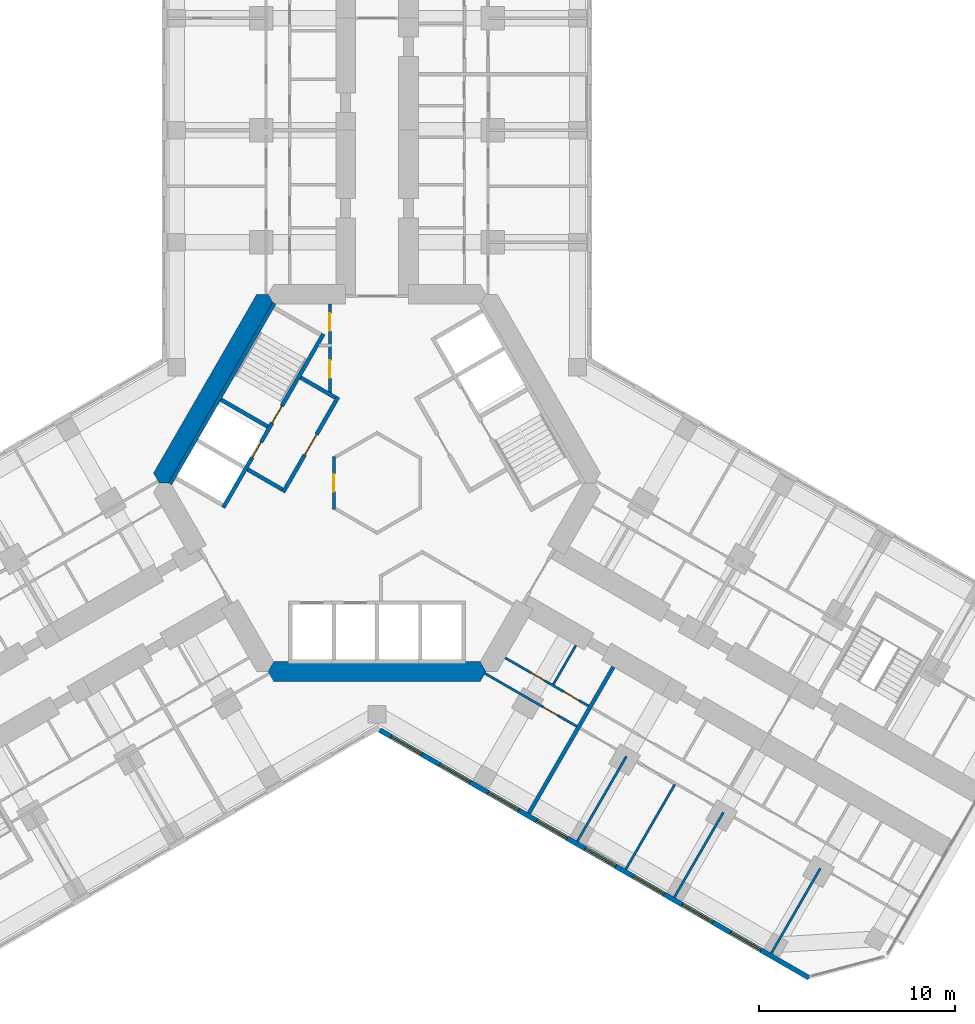
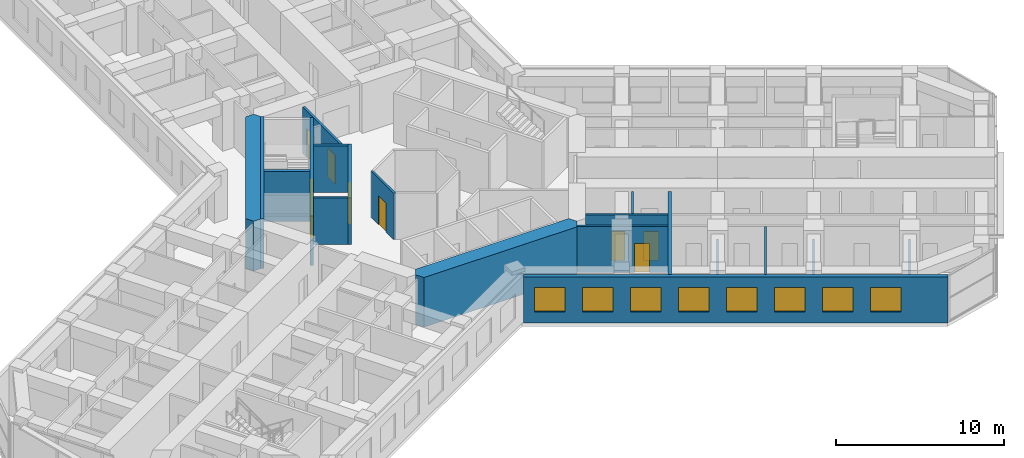
# One storey, part 13 of 21: 19 walls, 9 doors, 8 windows, 17 openings.
"""IFC4 building model written with IfcOpenShell, lengths in metres."""

from ifc_helpers import new_model, si_unit, direction, frame, frame_2d, origin, place, context, subcontext, project, spatial, polyline, rectangle, outline, extrude, material, layer, layer_set, type_object, element, fill, save


model = new_model("IFC4")

# Units and contexts
model_context = context("Model", 3, precision=1e-05, world=origin(), true_north=direction((0.0, 1.0)))
body_context = subcontext(model_context, "Body", "Model", "MODEL_VIEW")
ifc_project = project(units=[si_unit("LENGTHUNIT", "METRE"), si_unit("AREAUNIT", "SQUARE_METRE"), si_unit("VOLUMEUNIT", "CUBIC_METRE"), si_unit("PLANEANGLEUNIT", "RADIAN"), si_unit("MASSUNIT", "GRAM", prefix="KILO")], contexts=[model_context])

# Site, building, storey
site_placement = place(None, origin())
site = spatial("IfcSite", under=ifc_project, at=site_placement, CompositionType="ELEMENT")
building_placement = place(site_placement, origin())
building = spatial("IfcBuilding", under=site, at=building_placement, Name="Kosmar Iwan School Tower", CompositionType="ELEMENT")
storey_placement = place(building_placement, frame((0.0, 0.0, 88.0)))
storey = spatial("IfcBuildingStorey", under=building, at=storey_placement, Name="L21", CompositionType="ELEMENT", Elevation=88.0)

# Wall, openings, doors
ifc_material_1 = material(Name="Gypsum board on steel studs, fire-rated", Category="steel")
ifc_layer_1 = layer(ifc_material_1, 0.14990234375)
ifc_layer_set_1 = layer_set([ifc_layer_1], Name="Core room partition 150")
wall_type_1 = type_object("IfcWallType", Name="Core room partition 150", PredefinedType="PARTITIONING", material=ifc_layer_set_1)
wall_1_placement = place(storey_placement, frame((-2.39990234375, 9.094970703125, 0.0), z_axis=(0.0, 0.0, 1.0), x_axis=(0.0, -1.0, 0.0)))
wall_1 = element("IfcWall", 1, at=wall_1_placement, inside=storey, type_object=wall_type_1, Name="Core room partition L21-CW1", PredefinedType="PARTITIONING", context=body_context, shape_type="SweptSolid", body=[
    extrude(rectangle(XDim=4.564208984375, YDim=0.14990234375, at=frame_2d((2.2822265625, 0.0))), origin(), (0.0, 0.0, 1.0), 3.35009765625),
])
opening_1_placement = place(wall_1_placement, frame((0.455078125, 0.0, 0.0)))
opening_1 = element("IfcOpeningElement", 2, at=opening_1_placement, cuts=wall_1, Name="Opening D14", PredefinedType="OPENING", context=body_context, shape_type="SweptSolid", body=[
    extrude(rectangle(XDim=0.89990234375, YDim=2.10009765625, at=frame_2d((0.449951171875, 1.050048828125))), frame((0.0, 0.0869140625, 0.0), z_axis=(0.0, -1.0, 0.0), x_axis=(1.0, 0.0, 0.0)), (0.0, 0.0, 1.0), 0.173828125),
])
opening_2_placement = place(wall_1_placement, frame((2.85498046875, 0.0, 0.0)))
opening_2 = element("IfcOpeningElement", 3, at=opening_2_placement, cuts=wall_1, Name="Opening D14", PredefinedType="OPENING", context=body_context, shape_type="SweptSolid", body=[
    extrude(rectangle(XDim=0.89990234375, YDim=2.10009765625, at=frame_2d((0.449951171875, 1.050048828125))), frame((0.0, 0.0869140625, 0.0), z_axis=(0.0, -1.0, 0.0), x_axis=(1.0, 0.0, 0.0)), (0.0, 0.0, 1.0), 0.173828125),
])
ifc_material_2 = material(Name="Timber fire door in steel frame", Category="steel")
door_type_1 = type_object("IfcDoorType", Name="Core room door 900x2100", OperationType="SINGLE_SWING_LEFT", PredefinedType="DOOR", material=ifc_material_2)
door_1_placement = place(opening_1_placement, origin())
door_1 = element("IfcDoor", 4, at=door_1_placement, inside=storey, type_object=door_type_1, Name="Electrical riser and switch room door L21 1", OperationType="SINGLE_SWING_LEFT", OverallHeight=2.10009765625, OverallWidth=0.89990234375, PredefinedType="DOOR", context=body_context, shape_type="SweptSolid", body=[
    extrude(rectangle(XDim=0.89990234375, YDim=2.10009765625, at=frame_2d((0.449951171875, 1.050048828125))), frame((0.0, 0.02490234375, 0.0), z_axis=(0.0, -1.0, 0.0), x_axis=(1.0, 0.0, 0.0)), (0.0, 0.0, 1.0), 0.050048828125),
])
fill(opening_1, door_1)
door_2_placement = place(opening_2_placement, origin())
door_2 = element("IfcDoor", 5, at=door_2_placement, inside=storey, type_object=door_type_1, Name="Plumbing and wet riser door L21 2", OperationType="SINGLE_SWING_RIGHT", OverallHeight=2.10009765625, OverallWidth=0.89990234375, PredefinedType="DOOR", context=body_context, shape_type="SweptSolid", body=[
    extrude(rectangle(XDim=0.89990234375, YDim=2.10009765625, at=frame_2d((0.449951171875, 1.050048828125))), frame((0.0, 0.02490234375, 0.0), z_axis=(0.0, -1.0, 0.0), x_axis=(1.0, 0.0, 0.0)), (0.0, 0.0, 1.0), 0.050048828125),
])
fill(opening_2, door_2)

# Wall, opening, door
wall_2_placement = place(storey_placement, frame((-2.199951171875, -1.34521484375, 0.0), z_axis=(0.0, 0.0, 1.0), x_axis=(0.0, 1.0, 0.0)))
wall_2 = element("IfcWall", 6, at=wall_2_placement, inside=storey, type_object=wall_type_1, Name="Core room partition L21-CW6", PredefinedType="PARTITIONING", context=body_context, shape_type="SweptSolid", body=[
    extrude(rectangle(XDim=2.6904296875, YDim=0.14990234375, at=frame_2d((1.34521484375, 0.0))), origin(), (0.0, 0.0, 1.0), 3.35009765625),
])
opening_3_placement = place(wall_2_placement, frame((0.89501953125, 0.0, 0.0)))
opening_3 = element("IfcOpeningElement", 7, at=opening_3_placement, cuts=wall_2, Name="Opening D14", PredefinedType="OPENING", context=body_context, shape_type="SweptSolid", body=[
    extrude(rectangle(XDim=0.89990234375, YDim=2.10009765625, at=frame_2d((0.449951171875, 1.050048828125))), frame((0.0, 0.0869140625, 0.0), z_axis=(0.0, -1.0, 0.0), x_axis=(1.0, 0.0, 0.0)), (0.0, 0.0, 1.0), 0.173828125),
])
door_3_placement = place(opening_3_placement, origin())
door_3 = element("IfcDoor", 8, at=door_3_placement, inside=storey, type_object=door_type_1, Name="Parcel room door L21 3", OperationType="SINGLE_SWING_RIGHT", OverallHeight=2.10009765625, OverallWidth=0.89990234375, PredefinedType="DOOR", context=body_context, shape_type="SweptSolid", body=[
    extrude(rectangle(XDim=0.89990234375, YDim=2.10009765625, at=frame_2d((0.449951171875, 1.050048828125))), frame((0.0, 0.02490234375, 0.0), z_axis=(0.0, -1.0, 0.0), x_axis=(1.0, 0.0, 0.0)), (0.0, 0.0, 1.0), 0.050048828125),
])
fill(opening_3, door_3)

# Walls
ifc_material_3 = material(Name="Concrete C50/60", Category="concrete")
ifc_layer_2 = layer(ifc_material_3, 1.0)
ifc_layer_set_2 = layer_set([ifc_layer_2], Name="Core wall 1000")
wall_type_2 = type_object("IfcWallType", Name="Core wall 1000", PredefinedType="SHEAR", material=ifc_layer_set_2)
wall_3_placement = place(storey_placement, origin())
element("IfcWall", 9, at=wall_3_placement, inside=storey, type_object=wall_type_2, Name="Core wall F150", PredefinedType="SHEAR", context=body_context, shape_type="SweptSolid", body=[
    extrude(outline(polyline([(-11.085205078125, 0.0), (-10.5078125, 0.0), (-5.25390625, 9.10009765625), (-5.54248046875, 9.60009765625), (-6.119873046875, 9.60009765625), (-11.373779296875, 0.5), (-11.085205078125, 0.0)])), origin(), (0.0, 0.0, 1.0), 3.60009765625),
])
wall_4_placement = place(storey_placement, origin())
element("IfcWall", 10, at=wall_4_placement, inside=storey, type_object=wall_type_2, Name="Core wall F270", PredefinedType="SHEAR", context=body_context, shape_type="SweptSolid", body=[
    extrude(outline(polyline([(-5.25390625, -10.10009765625), (5.25390625, -10.10009765625), (5.54248046875, -9.60009765625), (5.25390625, -9.10009765625), (-5.25390625, -9.10009765625), (-5.54248046875, -9.60009765625), (-5.25390625, -10.10009765625)])), origin(), (0.0, 0.0, 1.0), 3.60009765625),
])

# Wall, openings, doors
ifc_material_4 = material(Name="Gypsum board on steel studs", Category="steel")
ifc_layer_3 = layer(ifc_material_4, 0.1201171875)
ifc_layer_set_3 = layer_set([ifc_layer_3], Name="Dwelling partition 120")
wall_type_3 = type_object("IfcWallType", Name="Dwelling partition 120", PredefinedType="PARTITIONING", material=ifc_layer_set_3)
wall_5_placement = place(storey_placement, frame((6.521728515625, -8.90380859375, 0.0), z_axis=(0.0, 0.0, 1.0), x_axis=(0.866036242063, -0.49998122708, 0.0)))
wall_5 = element("IfcWall", 11, at=wall_5_placement, inside=storey, type_object=wall_type_3, Name="Partition L21-CR1-W1", PredefinedType="PARTITIONING", context=body_context, shape_type="SweptSolid", body=[
    extrude(rectangle(XDim=4.900146484375, YDim=0.1201171875, at=frame_2d((2.4501953125, 0.0))), origin(), (0.0, 0.0, 1.0), 3.35009765625),
])
opening_4_placement = place(wall_5_placement, frame((1.550048828125, 0.0, 0.0)))
opening_4 = element("IfcOpeningElement", 12, at=opening_4_placement, cuts=wall_5, Name="Opening D3", PredefinedType="OPENING", context=body_context, shape_type="SweptSolid", body=[
    extrude(rectangle(XDim=0.800048828125, YDim=2.10009765625, at=frame_2d((0.39990234375, 1.050048828125))), frame((0.0, 0.072021484375, 0.0), z_axis=(0.0, -1.0, 0.0), x_axis=(1.0, 0.0, 0.0)), (0.0, 0.0, 1.0), 0.14404296875),
])
opening_5_placement = place(wall_5_placement, frame((3.449951171875, 0.0, 0.0)))
opening_5 = element("IfcOpeningElement", 13, at=opening_5_placement, cuts=wall_5, Name="Opening D2", PredefinedType="OPENING", context=body_context, shape_type="SweptSolid", body=[
    extrude(rectangle(XDim=0.89990234375, YDim=2.10009765625, at=frame_2d((0.449951171875, 1.050048828125))), frame((0.0, 0.072021484375, 0.0), z_axis=(0.0, -1.0, 0.0), x_axis=(1.0, 0.0, 0.0)), (0.0, 0.0, 1.0), 0.14404296875),
])
ifc_material_5 = material(Name="Timber door in timber frame", Category="wood")
door_type_2 = type_object("IfcDoorType", Name="Internal door 900x2100", OperationType="SINGLE_SWING_LEFT", PredefinedType="DOOR", material=ifc_material_5)
door_4_placement = place(opening_5_placement, origin())
door_4 = element("IfcDoor", 14, at=door_4_placement, inside=storey, type_object=door_type_2, Name="Entrance hall door L21-CR1-S2", OperationType="SINGLE_SWING_RIGHT", OverallHeight=2.10009765625, OverallWidth=0.89990234375, PredefinedType="DOOR", context=body_context, shape_type="SweptSolid", body=[
    extrude(rectangle(XDim=0.89990234375, YDim=2.10009765625, at=frame_2d((0.449951171875, 1.050048828125))), frame((0.0, 0.02490234375, 0.0), z_axis=(0.0, -1.0, 0.0), x_axis=(1.0, 0.0, 0.0)), (0.0, 0.0, 1.0), 0.050048828125),
])
fill(opening_5, door_4)
ifc_material_6 = material(Name="Timber door in timber frame", Category="wood")
door_type_3 = type_object("IfcDoorType", Name="Sanitary room door 800x2100", OperationType="SINGLE_SWING_LEFT", PredefinedType="DOOR", material=ifc_material_6)
door_5_placement = place(opening_4_placement, origin())
door_5 = element("IfcDoor", 15, at=door_5_placement, inside=storey, type_object=door_type_3, Name="Bathroom door L21-CR1-S1", OperationType="SINGLE_SWING_RIGHT", OverallHeight=2.10009765625, OverallWidth=0.800048828125, PredefinedType="DOOR", context=body_context, shape_type="SweptSolid", body=[
    extrude(rectangle(XDim=0.800048828125, YDim=2.10009765625, at=frame_2d((0.39990234375, 1.050048828125))), frame((0.0, 0.02490234375, 0.0), z_axis=(0.0, -1.0, 0.0), x_axis=(1.0, 0.0, 0.0)), (0.0, 0.0, 1.0), 0.050048828125),
])
fill(opening_4, door_5)

# Wall, opening, door
wall_6_placement = place(storey_placement, frame((5.48876953125, -9.693115234375, 0.0), z_axis=(0.0, 0.0, 1.0), x_axis=(0.866028230842, -0.499995103361, 0.0)))
wall_6 = element("IfcWall", 16, at=wall_6_placement, inside=storey, type_object=wall_type_3, Name="Partition L21-CR1-W2", PredefinedType="PARTITIONING", context=body_context, shape_type="SweptSolid", body=[
    extrude(rectangle(XDim=5.39990234375, YDim=0.1201171875, at=frame_2d((2.699951171875, 0.0))), origin(), (0.0, 0.0, 1.0), 3.35009765625),
])
opening_6_placement = place(wall_6_placement, frame((3.39990234375, 0.0, 0.0)))
opening_6 = element("IfcOpeningElement", 17, at=opening_6_placement, cuts=wall_6, Name="Opening D2", PredefinedType="OPENING", context=body_context, shape_type="SweptSolid", body=[
    extrude(rectangle(XDim=0.89990234375, YDim=2.10009765625, at=frame_2d((0.449951171875, 1.050048828125))), frame((0.0, 0.072021484375, 0.0), z_axis=(0.0, -1.0, 0.0), x_axis=(1.0, 0.0, 0.0)), (0.0, 0.0, 1.0), 0.14404296875),
])
door_6_placement = place(opening_6_placement, origin())
door_6 = element("IfcDoor", 18, at=door_6_placement, inside=storey, type_object=door_type_2, Name="Studio living room and kitchen door L21-CR1-F1", OperationType="SINGLE_SWING_RIGHT", OverallHeight=2.10009765625, OverallWidth=0.89990234375, PredefinedType="DOOR", context=body_context, shape_type="SweptSolid", body=[
    extrude(rectangle(XDim=0.89990234375, YDim=2.10009765625, at=frame_2d((0.449951171875, 1.050048828125))), frame((0.0, 0.02490234375, 0.0), z_axis=(0.0, -1.0, 0.0), x_axis=(1.0, 0.0, 0.0)), (0.0, 0.0, 1.0), 0.050048828125),
])
fill(opening_6, door_6)

# Walls
wall_7_placement = place(storey_placement, frame((10.121826171875, -8.2685546875, 0.0), z_axis=(0.0, 0.0, 1.0), x_axis=(-0.499968531483, -0.866043571379, 0.0)))
element("IfcWall", 19, at=wall_7_placement, inside=storey, type_object=wall_type_3, Name="Partition L21-CR1-Y1", PredefinedType="PARTITIONING", context=body_context, shape_type="SweptSolid", body=[
    extrude(rectangle(XDim=2.290283203125, YDim=0.1201171875, at=frame_2d((1.14501953125, 0.0))), origin(), (0.0, 0.0, 1.0), 3.35009765625),
])
wall_8_placement = place(storey_placement, frame((12.690185546875, -13.919921875, 0.0), z_axis=(0.0, 0.0, 1.0), x_axis=(-0.500011847778, -0.866018563358, 0.0)))
element("IfcWall", 20, at=wall_8_placement, inside=storey, type_object=wall_type_3, Name="Partition L21-CR2-X1", PredefinedType="PARTITIONING", context=body_context, shape_type="SweptSolid", body=[
    extrude(rectangle(XDim=4.990234375, YDim=0.1201171875, at=frame_2d((2.4951171875, 0.0))), origin(), (0.0, 0.0, 1.0), 2.449951171875),
])
wall_9_placement = place(storey_placement, frame((15.158447265625, -15.344970703125, 0.0), z_axis=(0.0, 0.0, 1.0), x_axis=(-0.500011847778, -0.866018563358, 0.0)))
element("IfcWall", 21, at=wall_9_placement, inside=storey, type_object=wall_type_3, Name="Partition L21-CR2-X2", PredefinedType="PARTITIONING", context=body_context, shape_type="SweptSolid", body=[
    extrude(rectangle(XDim=4.990234375, YDim=0.1201171875, at=frame_2d((2.4951171875, 0.0))), origin(), (0.0, 0.0, 1.0), 3.35009765625),
])
wall_10_placement = place(storey_placement, frame((17.62646484375, -16.77001953125, 0.0), z_axis=(0.0, 0.0, 1.0), x_axis=(-0.499975153383, -0.86603974851, 0.0)))
element("IfcWall", 22, at=wall_10_placement, inside=storey, type_object=wall_type_3, Name="Partition L21-CR2-X3", PredefinedType="PARTITIONING", context=body_context, shape_type="SweptSolid", body=[
    extrude(rectangle(XDim=4.989990234375, YDim=0.1201171875, at=frame_2d((2.4951171875, 0.0))), origin(), (0.0, 0.0, 1.0), 2.449951171875),
])
wall_11_placement = place(storey_placement, frame((22.562744140625, -19.6201171875, 0.0), z_axis=(0.0, 0.0, 1.0), x_axis=(-0.499996339024, -0.86602751744, 0.0)))
element("IfcWall", 23, at=wall_11_placement, inside=storey, type_object=wall_type_3, Name="Partition L21-CR2-X4", PredefinedType="PARTITIONING", context=body_context, shape_type="SweptSolid", body=[
    extrude(rectangle(XDim=4.98974609375, YDim=0.1201171875, at=frame_2d((2.494873046875, 0.0))), origin(), (0.0, 0.0, 1.0), 2.449951171875),
])

# Wall, openings, windows
ifc_material_7 = material(Name="Black aluminium rainscreen on insulated framing", Category="aluminium")
ifc_layer_4 = layer(ifc_material_7, 0.25)
ifc_layer_set_4 = layer_set([ifc_layer_4], Name="External wall rainscreen 250")
wall_type_4 = type_object("IfcWallType", Name="External wall rainscreen 250", PredefinedType="SOLIDWALL", material=ifc_layer_set_4)
wall_12_placement = place(storey_placement, frame((0.137939453125, -12.5791015625, 0.0), z_axis=(0.0, 0.0, 1.0), x_axis=(0.866023775649, -0.500002820003, 0.0)))
wall_12 = element("IfcWall", 24, at=wall_12_placement, inside=storey, type_object=wall_type_4, Name="External wall CR L21", PredefinedType="SOLIDWALL", context=body_context, shape_type="SweptSolid", body=[
    extrude(rectangle(XDim=25.226318359375, YDim=0.25, at=frame_2d((12.61328125, 0.0))), origin(), (0.0, 0.0, 1.0), 3.35009765625),
])
opening_7_placement = place(wall_12_placement, frame((0.666015625, 0.0, 0.800048828125)))
opening_7 = element("IfcOpeningElement", 25, at=opening_7_placement, cuts=wall_12, Name="Opening W1", PredefinedType="OPENING", context=body_context, shape_type="SweptSolid", body=[
    extrude(rectangle(XDim=1.800048828125, YDim=1.800048828125, at=frame_2d((0.89990234375, 0.89990234375))), frame((0.0, 0.136962890625, 0.0), z_axis=(0.0, -1.0, 0.0), x_axis=(1.0, 0.0, 0.0)), (0.0, 0.0, 1.0), 0.27392578125),
])
opening_8_placement = place(wall_12_placement, frame((3.51611328125, 0.0, 0.800048828125)))
opening_8 = element("IfcOpeningElement", 26, at=opening_8_placement, cuts=wall_12, Name="Opening W1", PredefinedType="OPENING", context=body_context, shape_type="SweptSolid", body=[
    extrude(rectangle(XDim=1.800048828125, YDim=1.800048828125, at=frame_2d((0.89990234375, 0.89990234375))), frame((0.0, 0.136962890625, 0.0), z_axis=(0.0, -1.0, 0.0), x_axis=(1.0, 0.0, 0.0)), (0.0, 0.0, 1.0), 0.27392578125),
])
opening_9_placement = place(wall_12_placement, frame((6.365966796875, 0.0, 0.800048828125)))
opening_9 = element("IfcOpeningElement", 27, at=opening_9_placement, cuts=wall_12, Name="Opening W1", PredefinedType="OPENING", context=body_context, shape_type="SweptSolid", body=[
    extrude(rectangle(XDim=1.800048828125, YDim=1.800048828125, at=frame_2d((0.89990234375, 0.89990234375))), frame((0.0, 0.136962890625, 0.0), z_axis=(0.0, -1.0, 0.0), x_axis=(1.0, 0.0, 0.0)), (0.0, 0.0, 1.0), 0.27392578125),
])
opening_10_placement = place(wall_12_placement, frame((9.216064453125, 0.0, 0.800048828125)))
opening_10 = element("IfcOpeningElement", 28, at=opening_10_placement, cuts=wall_12, Name="Opening W1", PredefinedType="OPENING", context=body_context, shape_type="SweptSolid", body=[
    extrude(rectangle(XDim=1.800048828125, YDim=1.800048828125, at=frame_2d((0.89990234375, 0.89990234375))), frame((0.0, 0.136962890625, 0.0), z_axis=(0.0, -1.0, 0.0), x_axis=(1.0, 0.0, 0.0)), (0.0, 0.0, 1.0), 0.27392578125),
])
opening_11_placement = place(wall_12_placement, frame((12.06591796875, 0.0, 0.800048828125)))
opening_11 = element("IfcOpeningElement", 29, at=opening_11_placement, cuts=wall_12, Name="Opening W1", PredefinedType="OPENING", context=body_context, shape_type="SweptSolid", body=[
    extrude(rectangle(XDim=1.800048828125, YDim=1.800048828125, at=frame_2d((0.89990234375, 0.89990234375))), frame((0.0, 0.136962890625, 0.0), z_axis=(0.0, -1.0, 0.0), x_axis=(1.0, 0.0, 0.0)), (0.0, 0.0, 1.0), 0.27392578125),
])
opening_12_placement = place(wall_12_placement, frame((14.916015625, 0.0, 0.800048828125)))
opening_12 = element("IfcOpeningElement", 30, at=opening_12_placement, cuts=wall_12, Name="Opening W1", PredefinedType="OPENING", context=body_context, shape_type="SweptSolid", body=[
    extrude(rectangle(XDim=1.800048828125, YDim=1.800048828125, at=frame_2d((0.89990234375, 0.89990234375))), frame((0.0, 0.136962890625, 0.0), z_axis=(0.0, -1.0, 0.0), x_axis=(1.0, 0.0, 0.0)), (0.0, 0.0, 1.0), 0.27392578125),
])
opening_13_placement = place(wall_12_placement, frame((17.76611328125, 0.0, 0.800048828125)))
opening_13 = element("IfcOpeningElement", 31, at=opening_13_placement, cuts=wall_12, Name="Opening W1", PredefinedType="OPENING", context=body_context, shape_type="SweptSolid", body=[
    extrude(rectangle(XDim=1.800048828125, YDim=1.800048828125, at=frame_2d((0.89990234375, 0.89990234375))), frame((0.0, 0.136962890625, 0.0), z_axis=(0.0, -1.0, 0.0), x_axis=(1.0, 0.0, 0.0)), (0.0, 0.0, 1.0), 0.27392578125),
])
opening_14_placement = place(wall_12_placement, frame((20.615966796875, 0.0, 0.800048828125)))
opening_14 = element("IfcOpeningElement", 32, at=opening_14_placement, cuts=wall_12, Name="Opening W1", PredefinedType="OPENING", context=body_context, shape_type="SweptSolid", body=[
    extrude(rectangle(XDim=1.800048828125, YDim=1.800048828125, at=frame_2d((0.89990234375, 0.89990234375))), frame((0.0, 0.136962890625, 0.0), z_axis=(0.0, -1.0, 0.0), x_axis=(1.0, 0.0, 0.0)), (0.0, 0.0, 1.0), 0.27392578125),
])
ifc_material_8 = material(Name="Black aluminium frame with dark triple glazing", Category="aluminium")
window_type = type_object("IfcWindowType", Name="Window 1800x1800", PartitioningType="SINGLE_PANEL", PredefinedType="WINDOW", material=ifc_material_8)
window_1_placement = place(opening_7_placement, origin())
window_1 = element("IfcWindow", 33, at=window_1_placement, inside=storey, type_object=window_type, Name="Window CR L21 -1", OverallHeight=1.800048828125, OverallWidth=1.800048828125, PartitioningType="SINGLE_PANEL", PredefinedType="WINDOW", context=body_context, shape_type="SweptSolid", body=[
    extrude(rectangle(XDim=1.800048828125, YDim=1.800048828125, at=frame_2d((0.89990234375, 0.89990234375))), frame((0.0, 0.030029296875, 0.0), z_axis=(0.0, -1.0, 0.0), x_axis=(1.0, 0.0, 0.0)), (0.0, 0.0, 1.0), 0.06005859375),
])
fill(opening_7, window_1)
window_2_placement = place(opening_8_placement, origin())
window_2 = element("IfcWindow", 34, at=window_2_placement, inside=storey, type_object=window_type, Name="Window CR L21 0", OverallHeight=1.800048828125, OverallWidth=1.800048828125, PartitioningType="SINGLE_PANEL", PredefinedType="WINDOW", context=body_context, shape_type="SweptSolid", body=[
    extrude(rectangle(XDim=1.800048828125, YDim=1.800048828125, at=frame_2d((0.89990234375, 0.89990234375))), frame((0.0, 0.030029296875, 0.0), z_axis=(0.0, -1.0, 0.0), x_axis=(1.0, 0.0, 0.0)), (0.0, 0.0, 1.0), 0.06005859375),
])
fill(opening_8, window_2)
window_3_placement = place(opening_9_placement, origin())
window_3 = element("IfcWindow", 35, at=window_3_placement, inside=storey, type_object=window_type, Name="Window CR L21 1", OverallHeight=1.800048828125, OverallWidth=1.800048828125, PartitioningType="SINGLE_PANEL", PredefinedType="WINDOW", context=body_context, shape_type="SweptSolid", body=[
    extrude(rectangle(XDim=1.800048828125, YDim=1.800048828125, at=frame_2d((0.89990234375, 0.89990234375))), frame((0.0, 0.030029296875, 0.0), z_axis=(0.0, -1.0, 0.0), x_axis=(1.0, 0.0, 0.0)), (0.0, 0.0, 1.0), 0.06005859375),
])
fill(opening_9, window_3)
window_4_placement = place(opening_10_placement, origin())
window_4 = element("IfcWindow", 36, at=window_4_placement, inside=storey, type_object=window_type, Name="Window CR L21 2", OverallHeight=1.800048828125, OverallWidth=1.800048828125, PartitioningType="SINGLE_PANEL", PredefinedType="WINDOW", context=body_context, shape_type="SweptSolid", body=[
    extrude(rectangle(XDim=1.800048828125, YDim=1.800048828125, at=frame_2d((0.89990234375, 0.89990234375))), frame((0.0, 0.030029296875, 0.0), z_axis=(0.0, -1.0, 0.0), x_axis=(1.0, 0.0, 0.0)), (0.0, 0.0, 1.0), 0.06005859375),
])
fill(opening_10, window_4)
window_5_placement = place(opening_11_placement, origin())
window_5 = element("IfcWindow", 37, at=window_5_placement, inside=storey, type_object=window_type, Name="Window CR L21 3", OverallHeight=1.800048828125, OverallWidth=1.800048828125, PartitioningType="SINGLE_PANEL", PredefinedType="WINDOW", context=body_context, shape_type="SweptSolid", body=[
    extrude(rectangle(XDim=1.800048828125, YDim=1.800048828125, at=frame_2d((0.89990234375, 0.89990234375))), frame((0.0, 0.030029296875, 0.0), z_axis=(0.0, -1.0, 0.0), x_axis=(1.0, 0.0, 0.0)), (0.0, 0.0, 1.0), 0.06005859375),
])
fill(opening_11, window_5)
window_6_placement = place(opening_12_placement, origin())
window_6 = element("IfcWindow", 38, at=window_6_placement, inside=storey, type_object=window_type, Name="Window CR L21 4", OverallHeight=1.800048828125, OverallWidth=1.800048828125, PartitioningType="SINGLE_PANEL", PredefinedType="WINDOW", context=body_context, shape_type="SweptSolid", body=[
    extrude(rectangle(XDim=1.800048828125, YDim=1.800048828125, at=frame_2d((0.89990234375, 0.89990234375))), frame((0.0, 0.030029296875, 0.0), z_axis=(0.0, -1.0, 0.0), x_axis=(1.0, 0.0, 0.0)), (0.0, 0.0, 1.0), 0.06005859375),
])
fill(opening_12, window_6)
window_7_placement = place(opening_13_placement, origin())
window_7 = element("IfcWindow", 39, at=window_7_placement, inside=storey, type_object=window_type, Name="Window CR L21 5", OverallHeight=1.800048828125, OverallWidth=1.800048828125, PartitioningType="SINGLE_PANEL", PredefinedType="WINDOW", context=body_context, shape_type="SweptSolid", body=[
    extrude(rectangle(XDim=1.800048828125, YDim=1.800048828125, at=frame_2d((0.89990234375, 0.89990234375))), frame((0.0, 0.030029296875, 0.0), z_axis=(0.0, -1.0, 0.0), x_axis=(1.0, 0.0, 0.0)), (0.0, 0.0, 1.0), 0.06005859375),
])
fill(opening_13, window_7)
window_8_placement = place(opening_14_placement, origin())
window_8 = element("IfcWindow", 40, at=window_8_placement, inside=storey, type_object=window_type, Name="Window CR L21 6", OverallHeight=1.800048828125, OverallWidth=1.800048828125, PartitioningType="SINGLE_PANEL", PredefinedType="WINDOW", context=body_context, shape_type="SweptSolid", body=[
    extrude(rectangle(XDim=1.800048828125, YDim=1.800048828125, at=frame_2d((0.89990234375, 0.89990234375))), frame((0.0, 0.030029296875, 0.0), z_axis=(0.0, -1.0, 0.0), x_axis=(1.0, 0.0, 0.0)), (0.0, 0.0, 1.0), 0.06005859375),
])
fill(opening_14, window_8)

# Wall, opening, door
ifc_material_9 = material(Name="Concrete block masonry", Category="masonry")
ifc_layer_5 = layer(ifc_material_9, 0.199951171875)
ifc_layer_set_5 = layer_set([ifc_layer_5], Name="Fire lobby wall 200")
wall_type_5 = type_object("IfcWallType", Name="Fire lobby wall 200", PredefinedType="PARTITIONING", material=ifc_layer_set_5)
wall_13_placement = place(storey_placement, frame((-1.9775390625, 4.374755859375, 0.0), z_axis=(0.0, 0.0, 1.0), x_axis=(-0.500016814911, -0.866015695474, 0.0)))
wall_13 = element("IfcWall", 41, at=wall_13_placement, inside=storey, type_object=wall_type_5, Name="Firefighting lobby wall ST2", PredefinedType="PARTITIONING", context=body_context, shape_type="SweptSolid", body=[
    extrude(rectangle(XDim=5.599853515625, YDim=0.199951171875, at=frame_2d((2.7998046875, 0.0))), origin(), (0.0, 0.0, 1.0), 3.35009765625),
])
opening_15_placement = place(wall_13_placement, frame((2.199951171875, 0.0, 0.0)))
opening_15 = element("IfcOpeningElement", 42, at=opening_15_placement, cuts=wall_13, Name="Opening D7", PredefinedType="OPENING", context=body_context, shape_type="SweptSolid", body=[
    extrude(rectangle(XDim=1.199951171875, YDim=2.10009765625, at=frame_2d((0.60009765625, 1.050048828125))), frame((0.0, 0.112060546875, 0.0), z_axis=(0.0, -1.0, 0.0), x_axis=(1.0, 0.0, 0.0)), (0.0, 0.0, 1.0), 0.223876953125),
])
ifc_material_10 = material(Name="Steel fire door", Category="steel")
door_type_4 = type_object("IfcDoorType", Name="Fire lobby door 1200x2100", OperationType="SINGLE_SWING_LEFT", PredefinedType="DOOR", material=ifc_material_10)
door_7_placement = place(opening_15_placement, origin())
door_7 = element("IfcDoor", 43, at=door_7_placement, inside=storey, type_object=door_type_4, Name="Firefighting lobby door ST2 L21", OperationType="SINGLE_SWING_RIGHT", OverallHeight=2.10009765625, OverallWidth=1.199951171875, PredefinedType="DOOR", context=body_context, shape_type="SweptSolid", body=[
    extrude(rectangle(XDim=1.199951171875, YDim=2.10009765625, at=frame_2d((0.60009765625, 1.050048828125))), frame((0.0, 0.02490234375, 0.0), z_axis=(0.0, -1.0, 0.0), x_axis=(1.0, 0.0, 0.0)), (0.0, 0.0, 1.0), 0.050048828125),
])
fill(opening_15, door_7)

# Walls
wall_14_placement = place(storey_placement, frame((-2.114013671875, 4.33837890625, 0.0), z_axis=(0.0, 0.0, 1.0), x_axis=(-0.866050731258, 0.499956128963, 0.0)))
element("IfcWall", 44, at=wall_14_placement, inside=storey, type_object=wall_type_5, Name="Firefighting lobby wall ST2", PredefinedType="PARTITIONING", context=body_context, shape_type="SweptSolid", body=[
    extrude(rectangle(XDim=2.050048828125, YDim=0.199951171875, at=frame_2d((1.02490234375, 0.0))), origin(), (0.0, 0.0, 1.0), 3.35009765625),
])
wall_15_placement = place(storey_placement, frame((-4.814208984375, -0.33837890625, 0.0), z_axis=(0.0, 0.0, 1.0), x_axis=(-0.865969381856, 0.500097020274, 0.0)))
element("IfcWall", 45, at=wall_15_placement, inside=storey, type_object=wall_type_5, Name="Firefighting lobby wall ST2", PredefinedType="PARTITIONING", context=body_context, shape_type="SweptSolid", body=[
    extrude(rectangle(XDim=2.0498046875, YDim=0.199951171875, at=frame_2d((1.02490234375, 0.0))), origin(), (0.0, 0.0, 1.0), 3.35009765625),
])

# Wall, openings, doors
ifc_material_11 = material(Name="Concrete C50/60", Category="concrete")
ifc_layer_6 = layer(ifc_material_11, 0.199951171875)
ifc_layer_set_6 = layer_set([ifc_layer_6], Name="Lift shaft wall 200")
wall_type_6 = type_object("IfcWallType", Name="Lift shaft wall 200", PredefinedType="SHEAR", material=ifc_layer_set_6)
wall_16_placement = place(storey_placement, frame((-2.72607421875, 7.578369140625, 0.0), z_axis=(0.0, 0.0, 1.0), x_axis=(-0.500005610874, -0.86602216432, 0.0)))
wall_16 = element("IfcWall", 46, at=wall_16_placement, inside=storey, type_object=wall_type_6, Name="Lift and stair front wall AB", PredefinedType="SHEAR", context=body_context, shape_type="SweptSolid", body=[
    extrude(rectangle(XDim=10.2001953125, YDim=0.199951171875, at=frame_2d((5.10009765625, 0.0))), origin(), (0.0, 0.0, 1.0), 3.60009765625),
])
opening_16_placement = place(wall_16_placement, frame((6.35009765625, 0.0, 0.0)))
opening_16 = element("IfcOpeningElement", 47, at=opening_16_placement, cuts=wall_16, Name="Opening LD2", PredefinedType="OPENING", context=body_context, shape_type="SweptSolid", body=[
    extrude(rectangle(XDim=0.89990234375, YDim=2.10009765625, at=frame_2d((0.449951171875, 1.050048828125))), frame((0.0, 0.112060546875, 0.0), z_axis=(0.0, -1.0, 0.0), x_axis=(1.0, 0.0, 0.0)), (0.0, 0.0, 1.0), 0.223876953125),
])
opening_17_placement = place(wall_16_placement, frame((4.22998046875, 0.0, 0.0)))
opening_17 = element("IfcOpeningElement", 48, at=opening_17_placement, cuts=wall_16, Name="Opening D6", PredefinedType="OPENING", context=body_context, shape_type="SweptSolid", body=[
    extrude(rectangle(XDim=1.0, YDim=2.10009765625, at=frame_2d((0.5, 1.050048828125))), frame((0.0, 0.112060546875, 0.0), z_axis=(0.0, -1.0, 0.0), x_axis=(1.0, 0.0, 0.0)), (0.0, 0.0, 1.0), 0.223876953125),
])
ifc_material_12 = material(Name="Stainless steel sliding lift door", Category="steel")
door_type_5 = type_object("IfcDoorType", Name="Firefighting lift landing door 900x2100", OperationType="SLIDING_TO_LEFT", PredefinedType="DOOR", material=ifc_material_12)
door_8_placement = place(opening_16_placement, origin())
door_8 = element("IfcDoor", 49, at=door_8_placement, inside=storey, type_object=door_type_5, Name="Lift FF2 landing door L21", OperationType="SLIDING_TO_LEFT", OverallHeight=2.10009765625, OverallWidth=0.89990234375, PredefinedType="DOOR", context=body_context, shape_type="SweptSolid", body=[
    extrude(rectangle(XDim=0.89990234375, YDim=2.10009765625, at=frame_2d((0.449951171875, 1.050048828125))), frame((0.0, 0.02490234375, 0.0), z_axis=(0.0, -1.0, 0.0), x_axis=(1.0, 0.0, 0.0)), (0.0, 0.0, 1.0), 0.050048828125),
])
fill(opening_16, door_8)
ifc_material_13 = material(Name="Steel fire door", Category="steel")
door_type_6 = type_object("IfcDoorType", Name="Stair door 1000x2100", OperationType="SINGLE_SWING_LEFT", PredefinedType="DOOR", material=ifc_material_13)
door_9_placement = place(opening_17_placement, origin())
door_9 = element("IfcDoor", 50, at=door_9_placement, inside=storey, type_object=door_type_6, Name="Stair ST2 door L21", OperationType="SINGLE_SWING_LEFT", OverallHeight=2.10009765625, OverallWidth=1.0, PredefinedType="DOOR", context=body_context, shape_type="SweptSolid", body=[
    extrude(rectangle(XDim=1.0, YDim=2.10009765625, at=frame_2d((0.5, 1.050048828125))), frame((0.0, 0.02490234375, 0.0), z_axis=(0.0, -1.0, 0.0), x_axis=(1.0, 0.0, 0.0)), (0.0, 0.0, 1.0), 0.050048828125),
])
fill(opening_17, door_9)

# Walls
wall_17_placement = place(storey_placement, frame((-5.22509765625, 9.14990234375, 0.0), z_axis=(0.0, 0.0, 1.0), x_axis=(-0.499994998079, -0.866028291626, 0.0)))
element("IfcWall", 51, at=wall_17_placement, inside=storey, type_object=wall_type_6, Name="Lift and stair back wall AB", PredefinedType="SHEAR", context=body_context, shape_type="SweptSolid", body=[
    extrude(rectangle(XDim=10.623046875, YDim=0.199951171875, at=frame_2d((5.3115234375, 0.0))), origin(), (0.0, 0.0, 1.0), 3.60009765625),
])
ifc_material_14 = material(Name="Concrete block masonry", Category="masonry")
ifc_layer_7 = layer(ifc_material_14, 0.199951171875)
ifc_layer_set_7 = layer_set([ifc_layer_7], Name="Party wall 200")
wall_type_7 = type_object("IfcWallType", Name="Party wall 200", PredefinedType="PARTITIONING", material=ifc_layer_set_7)
wall_18_placement = place(storey_placement, frame((12.027099609375, -9.36865234375, 0.0), z_axis=(0.0, 0.0, 1.0), x_axis=(-0.500007509209, -0.866021068297, 0.0)))
element("IfcWall", 52, at=wall_18_placement, inside=storey, type_object=wall_type_7, Name="Partition L21-CR2-PW", PredefinedType="PARTITIONING", context=body_context, shape_type="SweptSolid", body=[
    extrude(rectangle(XDim=8.599853515625, YDim=0.199951171875, at=frame_2d((4.2998046875, 0.0))), origin(), (0.0, 0.0, 1.0), 3.35009765625),
])
ifc_material_15 = material(Name="Concrete C50/60", Category="concrete")
ifc_layer_8 = layer(ifc_material_15, 0.199951171875)
ifc_layer_set_8 = layer_set([ifc_layer_8], Name="Stair enclosure wall 200")
wall_type_8 = type_object("IfcWallType", Name="Stair enclosure wall 200", PredefinedType="SHEAR", material=ifc_layer_set_8)
wall_19_placement = place(storey_placement, frame((-5.562744140625, 2.865234375, 0.0), z_axis=(0.0, 0.0, 1.0), x_axis=(-0.866027397988, 0.499996545922, 0.0)))
element("IfcWall", 53, at=wall_19_placement, inside=storey, type_object=wall_type_8, Name="Stair ST2 wall", PredefinedType="SHEAR", context=body_context, shape_type="SweptSolid", body=[
    extrude(rectangle(XDim=2.75, YDim=0.199951171875, at=frame_2d((1.375, 0.0))), origin(), (0.0, 0.0, 1.0), 3.60009765625),
])

save(model, "model.ifc")
